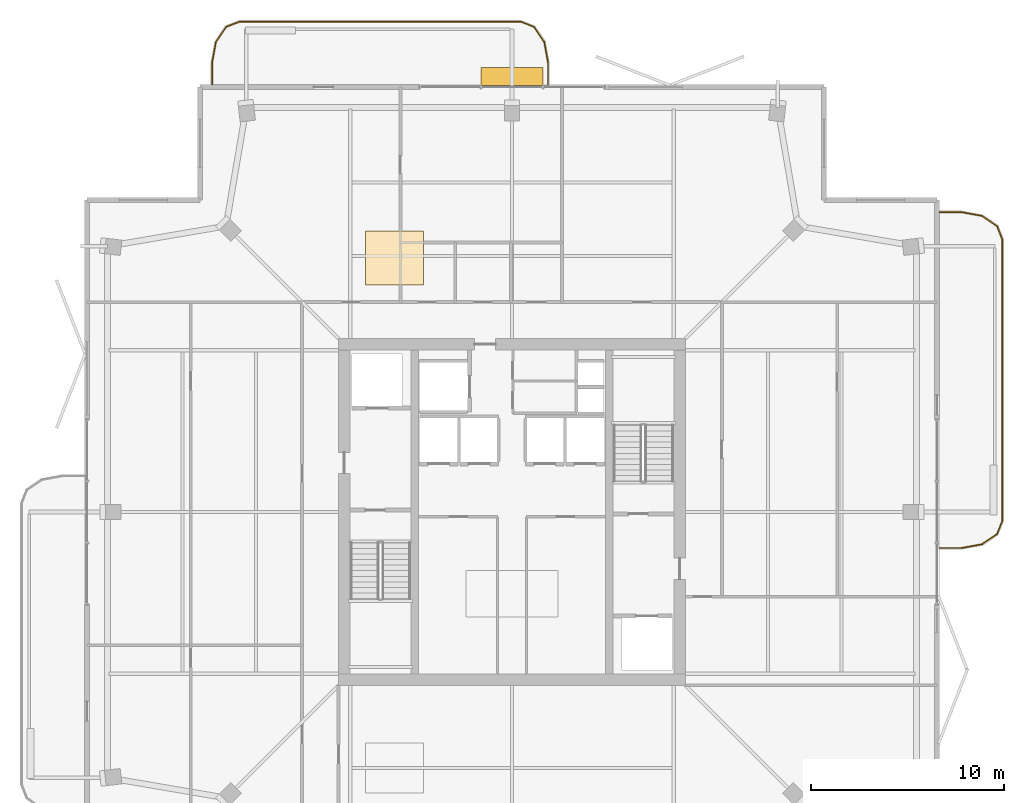
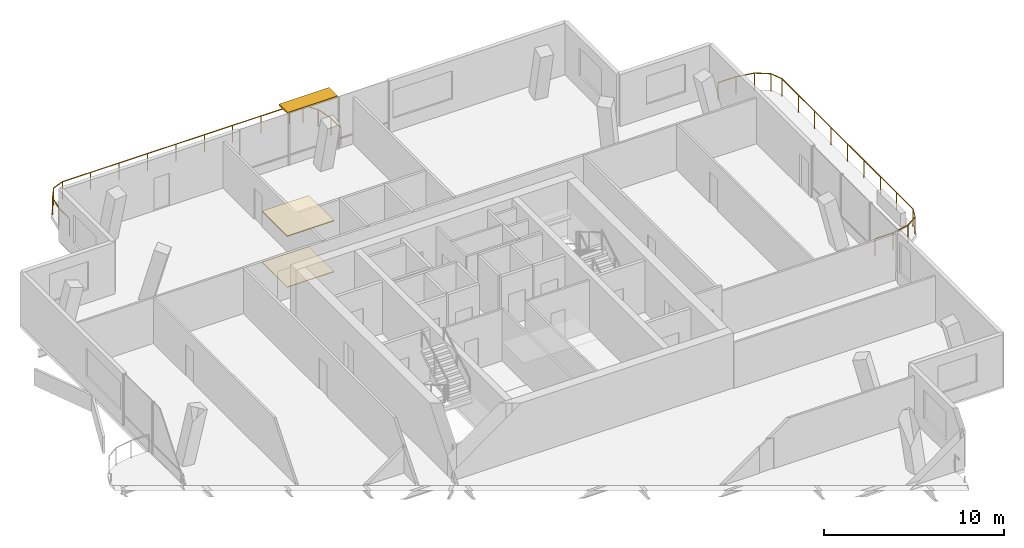
# One storey, part 19 of 19: 2 coverings, 2 railings, 1 shading device.
"""IFC4 building model written with IfcOpenShell, lengths in metres."""

from ifc_helpers import new_model, si_unit, direction, frame, origin, origin_2d, place, context, subcontext, project, spatial, polyline, rectangle, outline, extrude, material, layer, layer_set, type_object, element, save


model = new_model("IFC4")

# Units and contexts
model_context = context("Model", 3, precision=1e-05, world=origin(), true_north=direction((0.0, 1.0)))
body_context = subcontext(model_context, "Body", "Model", "MODEL_VIEW")
ifc_project = project(units=[si_unit("LENGTHUNIT", "METRE"), si_unit("AREAUNIT", "SQUARE_METRE"), si_unit("VOLUMEUNIT", "CUBIC_METRE"), si_unit("PLANEANGLEUNIT", "RADIAN"), si_unit("MASSUNIT", "GRAM", prefix="KILO")], contexts=[model_context])

# Site, building, storey
site_placement = place(None, origin())
site = spatial("IfcSite", under=ifc_project, at=site_placement, CompositionType="ELEMENT")
building_placement = place(site_placement, origin())
building = spatial("IfcBuilding", under=site, at=building_placement, Name="Belovzor Exchange Tower", CompositionType="ELEMENT")
storey_placement = place(building_placement, frame((0.0, 0.0, 340.5)))
storey = spatial("IfcBuildingStorey", under=building, at=storey_placement, Name="L85", CompositionType="ELEMENT", Elevation=340.5)

# Railings
ifc_material_1 = material(Name="Stainless Steel and Laminated Safety Glass", Category="steel")
railing_type = type_object("IfcRailingType", Name="Laminated Glass & Stainless Steel Balcony Balustrade 1200", PredefinedType="BALUSTRADE", material=ifc_material_1)
railing_1_placement = place(storey_placement, frame((30.669921875, 51.010009765625, 0.0)))
element("IfcRailing", 1, at=railing_1_placement, inside=storey, type_object=railing_type, Name="GR-1 Balcony Balustrade L85 North", PredefinedType="BALUSTRADE", context=body_context, shape_type="SweptSolid", body=[
    extrude(rectangle(XDim=0.048095703125, YDim=0.048095703125, at=origin_2d()), frame((0.0, 0.0, 1.17578125), z_axis=(0.0, 1.0, 0.0), x_axis=(-1.0, 0.0, 0.0)), (0.0, 0.0, 1.0), 1.133056640625),
    extrude(rectangle(XDim=0.048095703125, YDim=0.048095703125, at=origin_2d()), frame((0.0, 1.133056640625, 1.17578125), z_axis=(-0.180122719713, 0.983644145941, 0.0), x_axis=(-0.983644145941, -0.180122719713, 0.0)), (0.0, 0.0, 1.0), 1.09375),
    extrude(rectangle(XDim=0.048095703125, YDim=0.048095703125, at=origin_2d()), frame((-0.197021484375, 2.208984375, 1.17578125), z_axis=(-0.562768145367, 0.826614792125, 0.0), x_axis=(-0.826614792125, -0.562768145367, 0.0)), (0.0, 0.0, 1.0), 0.9326171875),
    extrude(rectangle(XDim=0.048095703125, YDim=0.048095703125, at=origin_2d()), frame((-0.721923828125, 2.97998046875, 1.17578125), z_axis=(-0.930766990125, 0.365612923861, 0.0), x_axis=(-0.365612923861, -0.930766990125, 0.0)), (0.0, 0.0, 1.0), 0.765869140625),
    extrude(rectangle(XDim=0.048095703125, YDim=0.048095703125, at=origin_2d()), frame((-1.434814453125, 3.260009765625, 1.17578125), z_axis=(-1.0, 0.0, 0.0), x_axis=(0.0, -1.0, 0.0)), (0.0, 0.0, 1.0), 14.570068359375),
    extrude(rectangle(XDim=0.048095703125, YDim=0.048095703125, at=origin_2d()), frame((-16.0048828125, 3.260009765625, 1.17578125), z_axis=(-0.930809580156, -0.365504480807, 0.0), x_axis=(0.365504480807, -0.930809580156, 0.0)), (0.0, 0.0, 1.0), 0.76611328125),
    extrude(rectangle(XDim=0.048095703125, YDim=0.048095703125, at=origin_2d()), frame((-16.718017578125, 2.97998046875, 1.17578125), z_axis=(-0.562768145367, -0.826614792125, 0.0), x_axis=(0.826614792125, -0.562768145367, 0.0)), (0.0, 0.0, 1.0), 0.9326171875),
    extrude(rectangle(XDim=0.048095703125, YDim=0.048095703125, at=origin_2d()), frame((-17.242919921875, 2.208984375, 1.17578125), z_axis=(-0.180122719713, -0.983644145941, 0.0), x_axis=(0.983644145941, -0.180122719713, 0.0)), (0.0, 0.0, 1.0), 1.09375),
    extrude(rectangle(XDim=0.048095703125, YDim=0.048095703125, at=origin_2d()), frame((-17.43994140625, 1.133056640625, 1.17578125), z_axis=(0.0, -1.0, 0.0), x_axis=(1.0, 0.0, 0.0)), (0.0, 0.0, 1.0), 1.133056640625),
    extrude(rectangle(XDim=0.0419921875, YDim=0.0419921875, at=origin_2d()), origin(), (0.0, 0.0, 1.0), 1.15185546875),
    extrude(rectangle(XDim=0.0419921875, YDim=0.0419921875, at=origin_2d()), frame((0.0, 1.133056640625, 0.0)), (0.0, 0.0, 1.0), 1.15185546875),
    extrude(rectangle(XDim=0.0419921875, YDim=0.0419921875, at=origin_2d()), frame((-0.197021484375, 2.208984375, 0.0)), (0.0, 0.0, 1.0), 1.15185546875),
    extrude(rectangle(XDim=0.0419921875, YDim=0.0419921875, at=origin_2d()), frame((-0.721923828125, 2.97998046875, 0.0)), (0.0, 0.0, 1.0), 1.15185546875),
    extrude(rectangle(XDim=0.0419921875, YDim=0.0419921875, at=origin_2d()), frame((-1.434814453125, 3.260009765625, 0.0)), (0.0, 0.0, 1.0), 1.15185546875),
    extrude(rectangle(XDim=0.0419921875, YDim=0.0419921875, at=origin_2d()), frame((-3.256103515625, 3.260009765625, 0.0)), (0.0, 0.0, 1.0), 1.15185546875),
    extrude(rectangle(XDim=0.0419921875, YDim=0.0419921875, at=origin_2d()), frame((-5.077392578125, 3.260009765625, 0.0)), (0.0, 0.0, 1.0), 1.15185546875),
    extrude(rectangle(XDim=0.0419921875, YDim=0.0419921875, at=origin_2d()), frame((-6.898681640625, 3.260009765625, 0.0)), (0.0, 0.0, 1.0), 1.15185546875),
    extrude(rectangle(XDim=0.0419921875, YDim=0.0419921875, at=origin_2d()), frame((-8.7197265625, 3.260009765625, 0.0)), (0.0, 0.0, 1.0), 1.15185546875),
    extrude(rectangle(XDim=0.0419921875, YDim=0.0419921875, at=origin_2d()), frame((-10.541015625, 3.260009765625, 0.0)), (0.0, 0.0, 1.0), 1.15185546875),
    extrude(rectangle(XDim=0.0419921875, YDim=0.0419921875, at=origin_2d()), frame((-12.3623046875, 3.260009765625, 0.0)), (0.0, 0.0, 1.0), 1.15185546875),
    extrude(rectangle(XDim=0.0419921875, YDim=0.0419921875, at=origin_2d()), frame((-14.18359375, 3.260009765625, 0.0)), (0.0, 0.0, 1.0), 1.15185546875),
    extrude(rectangle(XDim=0.0419921875, YDim=0.0419921875, at=origin_2d()), frame((-16.0048828125, 3.260009765625, 0.0)), (0.0, 0.0, 1.0), 1.15185546875),
    extrude(rectangle(XDim=0.0419921875, YDim=0.0419921875, at=origin_2d()), frame((-16.718017578125, 2.97998046875, 0.0)), (0.0, 0.0, 1.0), 1.15185546875),
    extrude(rectangle(XDim=0.0419921875, YDim=0.0419921875, at=origin_2d()), frame((-17.242919921875, 2.208984375, 0.0)), (0.0, 0.0, 1.0), 1.15185546875),
    extrude(rectangle(XDim=0.0419921875, YDim=0.0419921875, at=origin_2d()), frame((-17.43994140625, 1.133056640625, 0.0)), (0.0, 0.0, 1.0), 1.15185546875),
    extrude(rectangle(XDim=0.0419921875, YDim=0.0419921875, at=origin_2d()), frame((-17.43994140625, 0.0, 0.0)), (0.0, 0.0, 1.0), 1.15185546875),
])
railing_2_placement = place(storey_placement, frame((51.010009765625, 26.929931640625, 0.0)))
element("IfcRailing", 2, at=railing_2_placement, inside=storey, type_object=railing_type, Name="GR-1 Balcony Balustrade L85 East", PredefinedType="BALUSTRADE", context=body_context, shape_type="SweptSolid", body=[
    extrude(rectangle(XDim=0.048095703125, YDim=0.048095703125, at=origin_2d()), frame((0.0, 0.0, 1.17578125), z_axis=(1.0, 0.0, 0.0), x_axis=(0.0, 1.0, 0.0)), (0.0, 0.0, 1.0), 1.133056640625),
    extrude(rectangle(XDim=0.048095703125, YDim=0.048095703125, at=origin_2d()), frame((1.133056640625, 0.0, 1.17578125), z_axis=(0.983644145941, 0.180122719713, 0.0), x_axis=(-0.180122719713, 0.983644145941, 0.0)), (0.0, 0.0, 1.0), 1.09375),
    extrude(rectangle(XDim=0.048095703125, YDim=0.048095703125, at=origin_2d()), frame((2.208984375, 0.197021484375, 1.17578125), z_axis=(0.826493025367, 0.56294695933, 0.0), x_axis=(-0.56294695933, 0.826493025367, 0.0)), (0.0, 0.0, 1.0), 0.932861328125),
    extrude(rectangle(XDim=0.048095703125, YDim=0.048095703125, at=origin_2d()), frame((2.97998046875, 0.72216796875, 1.17578125), z_axis=(0.365612923861, 0.930766990125, 0.0), x_axis=(-0.930766990125, 0.365612923861, 0.0)), (0.0, 0.0, 1.0), 0.765869140625),
    extrude(rectangle(XDim=0.048095703125, YDim=0.048095703125, at=origin_2d()), frame((3.260009765625, 1.43505859375, 1.17578125), z_axis=(0.0, 1.0, 0.0), x_axis=(-1.0, 0.0, 0.0)), (0.0, 0.0, 1.0), 14.570068359375),
    extrude(rectangle(XDim=0.048095703125, YDim=0.048095703125, at=origin_2d()), frame((3.260009765625, 16.005126953125, 1.17578125), z_axis=(-0.365612923861, 0.930766990125, 0.0), x_axis=(-0.930766990125, -0.365612923861, 0.0)), (0.0, 0.0, 1.0), 0.765869140625),
    extrude(rectangle(XDim=0.048095703125, YDim=0.048095703125, at=origin_2d()), frame((2.97998046875, 16.718017578125, 1.17578125), z_axis=(-0.826493025367, 0.56294695933, 0.0), x_axis=(-0.56294695933, -0.826493025367, 0.0)), (0.0, 0.0, 1.0), 0.932861328125),
    extrude(rectangle(XDim=0.048095703125, YDim=0.048095703125, at=origin_2d()), frame((2.208984375, 17.2431640625, 1.17578125), z_axis=(-0.983644145941, 0.180122719713, 0.0), x_axis=(-0.180122719713, -0.983644145941, 0.0)), (0.0, 0.0, 1.0), 1.09375),
    extrude(rectangle(XDim=0.048095703125, YDim=0.048095703125, at=origin_2d()), frame((1.133056640625, 17.440185546875, 1.17578125), z_axis=(-1.0, 0.0, 0.0), x_axis=(0.0, -1.0, 0.0)), (0.0, 0.0, 1.0), 1.133056640625),
    extrude(rectangle(XDim=0.0419921875, YDim=0.0419921875, at=origin_2d()), origin(), (0.0, 0.0, 1.0), 1.15185546875),
    extrude(rectangle(XDim=0.0419921875, YDim=0.0419921875, at=origin_2d()), frame((1.133056640625, 0.0, 0.0)), (0.0, 0.0, 1.0), 1.15185546875),
    extrude(rectangle(XDim=0.0419921875, YDim=0.0419921875, at=origin_2d()), frame((2.208984375, 0.197021484375, 0.0)), (0.0, 0.0, 1.0), 1.15185546875),
    extrude(rectangle(XDim=0.0419921875, YDim=0.0419921875, at=origin_2d()), frame((2.97998046875, 0.72216796875, 0.0)), (0.0, 0.0, 1.0), 1.15185546875),
    extrude(rectangle(XDim=0.0419921875, YDim=0.0419921875, at=origin_2d()), frame((3.260009765625, 1.43505859375, 0.0)), (0.0, 0.0, 1.0), 1.15185546875),
    extrude(rectangle(XDim=0.0419921875, YDim=0.0419921875, at=origin_2d()), frame((3.260009765625, 3.25634765625, 0.0)), (0.0, 0.0, 1.0), 1.15185546875),
    extrude(rectangle(XDim=0.0419921875, YDim=0.0419921875, at=origin_2d()), frame((3.260009765625, 5.07763671875, 0.0)), (0.0, 0.0, 1.0), 1.15185546875),
    extrude(rectangle(XDim=0.0419921875, YDim=0.0419921875, at=origin_2d()), frame((3.260009765625, 6.89892578125, 0.0)), (0.0, 0.0, 1.0), 1.15185546875),
    extrude(rectangle(XDim=0.0419921875, YDim=0.0419921875, at=origin_2d()), frame((3.260009765625, 8.72021484375, 0.0)), (0.0, 0.0, 1.0), 1.15185546875),
    extrude(rectangle(XDim=0.0419921875, YDim=0.0419921875, at=origin_2d()), frame((3.260009765625, 10.541259765625, 0.0)), (0.0, 0.0, 1.0), 1.15185546875),
    extrude(rectangle(XDim=0.0419921875, YDim=0.0419921875, at=origin_2d()), frame((3.260009765625, 12.362548828125, 0.0)), (0.0, 0.0, 1.0), 1.15185546875),
    extrude(rectangle(XDim=0.0419921875, YDim=0.0419921875, at=origin_2d()), frame((3.260009765625, 14.183837890625, 0.0)), (0.0, 0.0, 1.0), 1.15185546875),
    extrude(rectangle(XDim=0.0419921875, YDim=0.0419921875, at=origin_2d()), frame((3.260009765625, 16.005126953125, 0.0)), (0.0, 0.0, 1.0), 1.15185546875),
    extrude(rectangle(XDim=0.0419921875, YDim=0.0419921875, at=origin_2d()), frame((2.97998046875, 16.718017578125, 0.0)), (0.0, 0.0, 1.0), 1.15185546875),
    extrude(rectangle(XDim=0.0419921875, YDim=0.0419921875, at=origin_2d()), frame((2.208984375, 17.2431640625, 0.0)), (0.0, 0.0, 1.0), 1.15185546875),
    extrude(rectangle(XDim=0.0419921875, YDim=0.0419921875, at=origin_2d()), frame((1.133056640625, 17.440185546875, 0.0)), (0.0, 0.0, 1.0), 1.15185546875),
    extrude(rectangle(XDim=0.0419921875, YDim=0.0419921875, at=origin_2d()), frame((0.0, 17.440185546875, 0.0)), (0.0, 0.0, 1.0), 1.15185546875),
])

# Coverings
ifc_material_2 = material(Name="Perforated Powder-Coated Aluminium", Category="aluminium")
ifc_layer_1 = layer(ifc_material_2, 0.06005859375)
ifc_layer_set_1 = layer_set([ifc_layer_1], Name="Perforated Powder-Coated Aluminium")
covering_type_1 = type_object("IfcCoveringType", Name="Perforated Acoustic Metal Tile Suspended Ceiling 60", PredefinedType="CEILING", material=ifc_layer_set_1)
covering_1_placement = place(storey_placement, frame((0.0, 0.0, 3.449951171875)))
element("IfcCovering", 3, at=covering_1_placement, inside=storey, type_object=covering_type_1, Name="CLG-AC60 Suspended Ceiling CLG-L85-Z3", PredefinedType="CEILING", context=body_context, shape_type="SweptSolid", body=[
    extrude(outline(polyline([(21.199951171875, 40.60009765625), (24.199951171875, 40.60009765625), (24.199951171875, 43.39990234375), (21.199951171875, 43.39990234375), (21.199951171875, 40.60009765625)])), origin(), (0.0, 0.0, 1.0), 0.06005859375),
])
ifc_material_3 = material(Name="Polished Natural Granite Tile", Category="masonry")
ifc_layer_2 = layer(ifc_material_3, 0.050048828125)
ifc_layer_set_2 = layer_set([ifc_layer_2], Name="Polished Natural Granite Tile")
covering_type_2 = type_object("IfcCoveringType", Name="Polished Karelian Granite & Raised Access Floor Finish 50", PredefinedType="FLOORING", material=ifc_layer_set_2)
covering_2_placement = place(storey_placement, origin())
element("IfcCovering", 4, at=covering_2_placement, inside=storey, type_object=covering_type_2, Name="FLR-GR50 Floor Finish FLR-L85-Z3", PredefinedType="FLOORING", context=body_context, shape_type="SweptSolid", body=[
    extrude(outline(polyline([(21.199951171875, 40.60009765625), (24.199951171875, 40.60009765625), (24.199951171875, 43.39990234375), (21.199951171875, 43.39990234375), (21.199951171875, 40.60009765625)])), origin(), (0.0, 0.0, 1.0), 0.050048828125),
])

# Shading device
ifc_material_4 = material(Name="Extruded Architectural Terracotta", Category="masonry")
ifc_layer_3 = layer(ifc_material_4, 0.1201171875)
ifc_layer_set_3 = layer_set([ifc_layer_3], Name="Extruded Architectural Terracotta")
shading_device_type = type_object("IfcShadingDeviceType", Name="Streamline Terracotta Horizontal Sunshade Hood 950", PredefinedType="AWNING", material=ifc_layer_set_3)
shading_device_placement = place(storey_placement, frame((28.800048828125, 51.4150390625, 3.389892578125), z_axis=(0.0, 0.0, 1.0), x_axis=(1.0, 0.0, 0.0)))
element("IfcShadingDevice", 5, at=shading_device_placement, inside=storey, type_object=shading_device_type, Name="SHD-TC095 Terracotta Sunshade L85 N", PredefinedType="AWNING", context=body_context, shape_type="SweptSolid", body=[
    extrude(rectangle(XDim=3.199951171875, YDim=0.949951171875, at=origin_2d()), origin(), (0.0, 0.0, 1.0), 0.1201171875),
])

save(model, "model.ifc")
